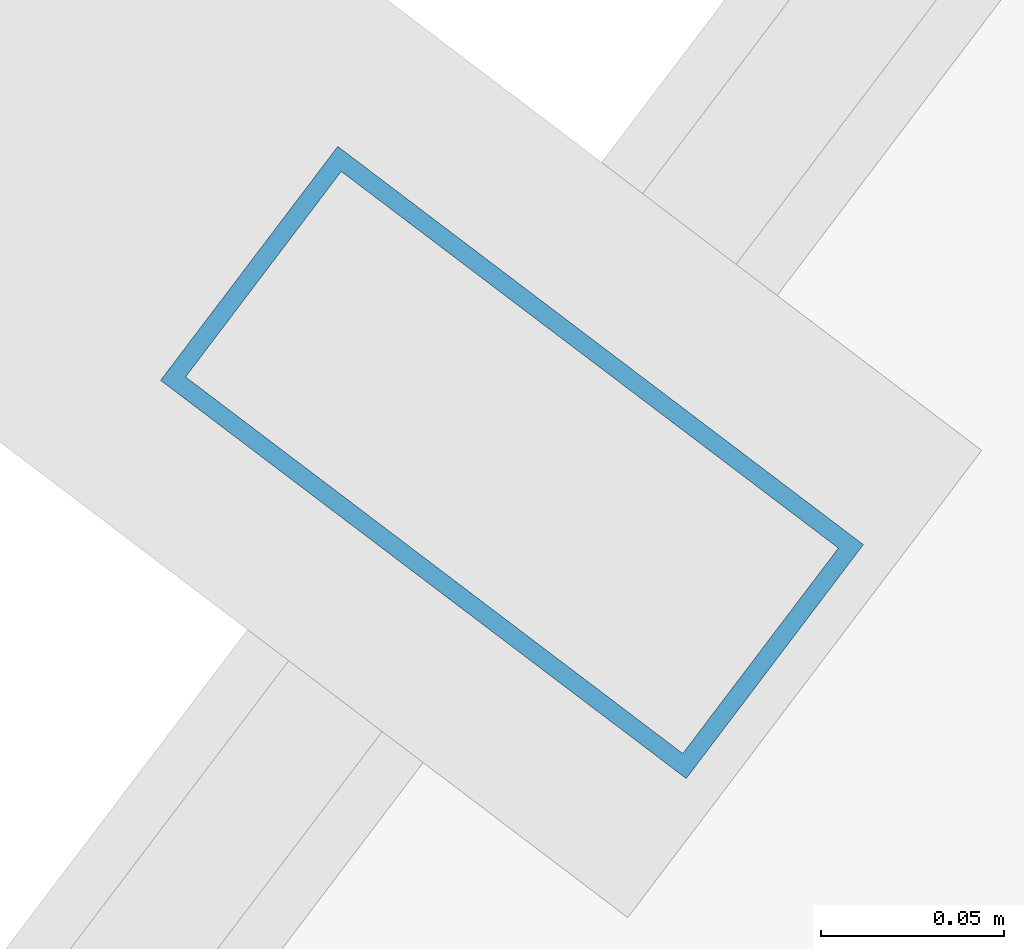
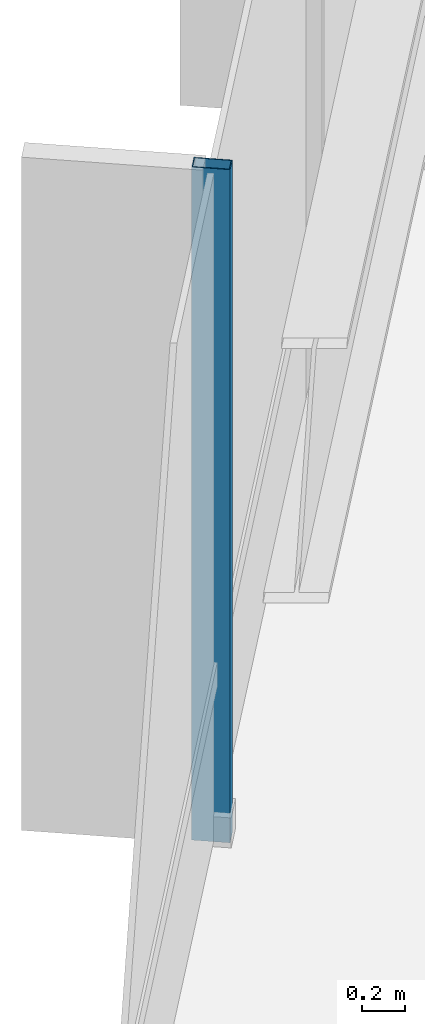
# One storey, part 11 of 26: 1 member, 1 element without a shape of its own.
"""IFC4 building model written with IfcOpenShell, lengths in metres."""

from ifc_helpers import new_model, si_unit, direction, frame, origin, origin_2d, place, context, subcontext, project, spatial, hollow_rectangle, extrude, material, layer, layer_set, material_profile, profile_set, type_object, element, aggregate, save


model = new_model("IFC4")

# Units and contexts
model_context = context("Model", 3, precision=1e-05, world=origin(), true_north=direction((0.0, 1.0)))
body_context = subcontext(model_context, "Body", "Model", "MODEL_VIEW")
ifc_project = project(units=[si_unit("LENGTHUNIT", "METRE"), si_unit("AREAUNIT", "SQUARE_METRE"), si_unit("VOLUMEUNIT", "CUBIC_METRE"), si_unit("PLANEANGLEUNIT", "RADIAN"), si_unit("MASSUNIT", "GRAM", prefix="KILO")], contexts=[model_context])

# Site, building, storey
site_placement = place(None, origin())
site = spatial("IfcSite", under=ifc_project, at=site_placement, CompositionType="ELEMENT")
building_placement = place(site_placement, origin())
building = spatial("IfcBuilding", under=site, at=building_placement, Name="Zarrinselat Tower", CompositionType="ELEMENT")
storey_placement = place(building_placement, frame((0.0, 0.0, 31.6201171875)))
storey = spatial("IfcBuildingStorey", under=building, at=storey_placement, Name="L07", CompositionType="ELEMENT", Elevation=31.6201171875)

# Curtain wall, member
ifc_material_1 = material(Name="Extruded Aluminium Alloy EN AW-6063 T6", Category="aluminium")
ifc_layer = layer(ifc_material_1, 0.18505859375)
ifc_layer_set = layer_set([ifc_layer], Name="Extruded Aluminium Alloy EN AW-6063 T6")
curtain_wall_type = type_object("IfcCurtainWallType", Name="CWS-OFF", PredefinedType="NOTDEFINED", material=ifc_layer_set)
curtain_wall_placement = place(storey_placement, origin())
curtain_wall = element("IfcCurtainWall", 1, at=curtain_wall_placement, inside=storey, type_object=curtain_wall_type, Name="L07 Unitised Curtain Wall CW-L07-E02", PredefinedType="NOTDEFINED")
ifc_material_2 = material(Name="Extruded Aluminium Alloy EN AW-6063 T6", Category="aluminium")
ifc_material_profile = material_profile(ifc_material_2, hollow_rectangle(XDim=0.080078125, YDim=0.179931640625, WallThickness=0.0048828125, at=origin_2d()), Name="RHS 180x80x5")
ifc_profile_set = profile_set([ifc_material_profile], Name="Extruded Aluminium Alloy EN AW-6063 T6")
member_type = type_object("IfcMemberType", Name="MEM-CW-MUL", PredefinedType="MULLION", material=ifc_profile_set)
member_placement = place(storey_placement, frame((22.176025390625, 41.9462890625, 0.0), z_axis=(0.0, 0.0, 1.0), x_axis=(-0.603858715485, -0.797091369752, 0.0)))
member = element("IfcMember", 2, at=member_placement, type_object=member_type, Name="CW-L07-E02 Mullion 5", PredefinedType="MULLION", context=body_context, shape_type="SweptSolid", body=[
    extrude(hollow_rectangle(XDim=0.080078125, YDim=0.179931640625, WallThickness=0.0048828125, at=origin_2d()), origin(), (0.0, 0.0, 1.0), 3.81982421875),
])
aggregate(curtain_wall, [member])

save(model, "model.ifc")
